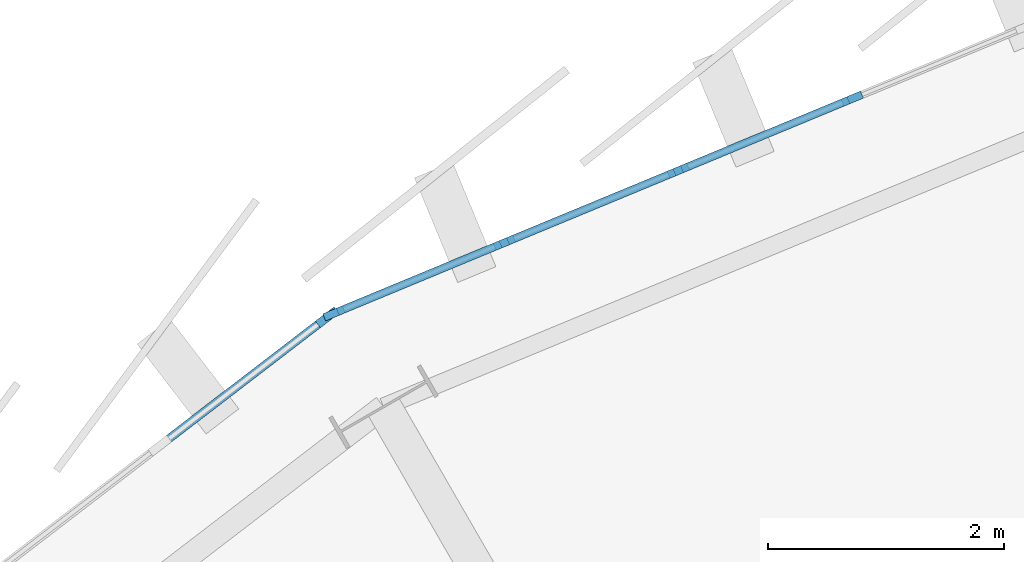
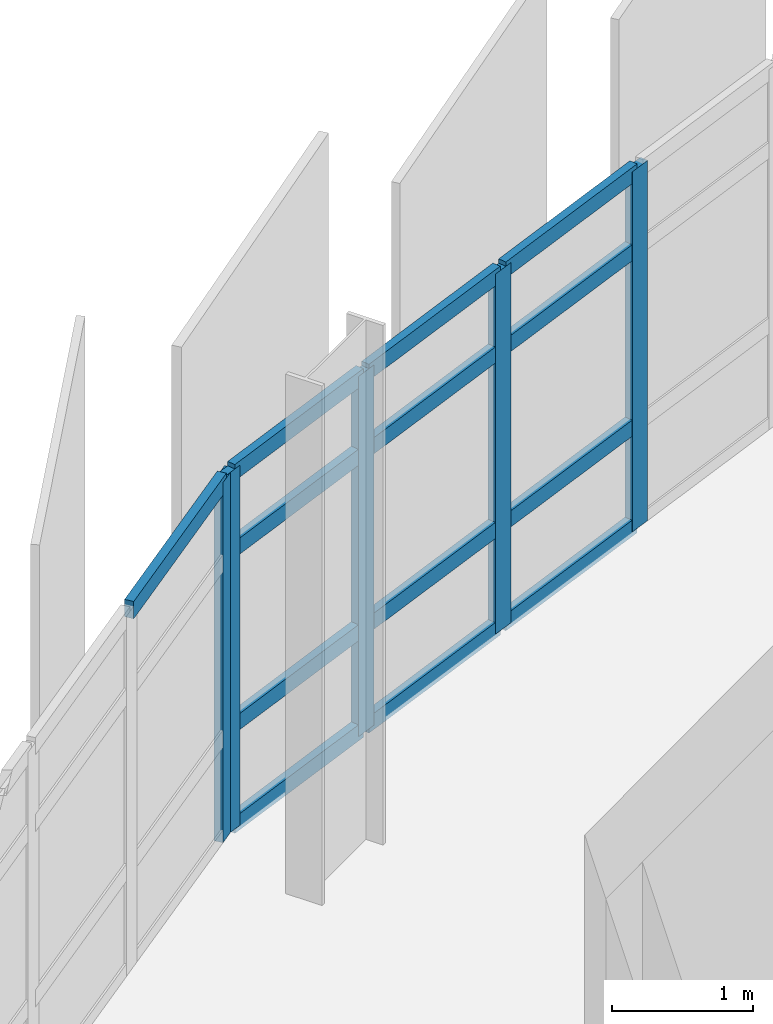
# One storey, part 48 of 120: 18 members, 2 elements without a shape of their own.
"""IFC4 building model written with IfcOpenShell, lengths in metres."""

import ifcopenshell
import ifcopenshell.guid

model = None  # the IFC model being written
_history = None  # IfcOwnerHistory: only IFC2X3 demands one
_inside = {}  # id of a spatial element -> (the spatial element, [elements in it])
_under = {}  # id of a project, library or spatial element -> (it, [spatial elements below it])
_declared = {}  # id of a project -> (the project, [libraries it declares])
_typed = {}  # id of a type object -> (the type object, [elements of that type])
_made_of = {}  # id of a material, layer set ... -> (it, [elements and type objects made of it])


def new_model(schema):
    """Start an empty IFC model of exactly this schema.

    Asked for "IFC4X3", IfcOpenShell would pick the latest addendum, in which some entities
    have other attributes; the version numbers below select the first issue.
    IFC2X3 requires an IfcOwnerHistory on every rooted entity: one is made here for all.
    """
    global model, _history
    if schema == "IFC4X3":
        model = ifcopenshell.file(schema_version=(4, 3, 0, 0))
    else:
        model = ifcopenshell.file(schema=schema)
    _inside.clear()
    _under.clear()
    _declared.clear()
    _typed.clear()
    _made_of.clear()
    _history = None
    if model.schema == "IFC2X3":
        org = make("IfcOrganization", Name="unknown")
        user = make(
            "IfcPersonAndOrganization",
            ThePerson=make("IfcPerson", FamilyName="unknown"),
            TheOrganization=org,
        )
        app = make(
            "IfcApplication",
            ApplicationDeveloper=org,
            Version="unknown",
            ApplicationFullName="unknown",
            ApplicationIdentifier="unknown",
        )
        _history = make(
            "IfcOwnerHistory",
            OwningUser=user,
            OwningApplication=app,
            ChangeAction="ADDED",
            CreationDate=0,
        )
    return model


def make(cls, **values):
    """One entity of the class cls with the attributes given. An attribute that is None is left unset."""
    return model.create_entity(
        cls, **{name: value for name, value in values.items() if value is not None}
    )


def rooted(cls, **values):
    """An entity with a GlobalId (a new one), such as an element, a storey or a relation."""
    return make(cls, GlobalId=ifcopenshell.guid.new(), OwnerHistory=_history, **values)


def si_unit(unit_type, name, prefix=None):
    """IfcSIUnit, for example si_unit("LENGTHUNIT", "METRE", prefix="MILLI")."""
    return make("IfcSIUnit", UnitType=unit_type, Prefix=prefix, Name=name)


def assignment(units):
    """IfcUnitAssignment: the units of a project."""
    return None if units is None else make("IfcUnitAssignment", Units=units)


def point(xyz):
    """IfcCartesianPoint."""
    return None if xyz is None else make("IfcCartesianPoint", Coordinates=xyz)


def direction(xyz):
    """IfcDirection."""
    return None if xyz is None else make("IfcDirection", DirectionRatios=xyz)


def frame(location, z_axis=None, x_axis=None):
    """IfcAxis2Placement3D, a coordinate frame: its origin and axes. An axis left out is left unset."""
    return make(
        "IfcAxis2Placement3D",
        Location=point(location),
        Axis=direction(z_axis),
        RefDirection=direction(x_axis),
    )


def frame_2d(location, x_axis=None):
    """IfcAxis2Placement2D, a coordinate frame in the plane: its origin and x axis."""
    return make(
        "IfcAxis2Placement2D", Location=point(location), RefDirection=direction(x_axis)
    )


def origin():
    """The frame at (0, 0, 0) with its axes left unset."""
    return frame((0.0, 0.0, 0.0))


def origin_2d():
    """The frame at (0, 0) in the plane with its x axis left unset."""
    return frame_2d((0.0, 0.0))


def place(relative_to, where):
    """IfcLocalPlacement: puts the frame where relative to a parent placement (None: the world)."""
    return make(
        "IfcLocalPlacement", PlacementRelTo=relative_to, RelativePlacement=where
    )


def context(
    kind, dimensions, precision=None, world=None, true_north=None, identifier=None
):
    """IfcGeometricRepresentationContext, for example the 3D "Model" context."""
    return make(
        "IfcGeometricRepresentationContext",
        ContextIdentifier=identifier,
        ContextType=kind,
        CoordinateSpaceDimension=dimensions,
        Precision=precision,
        WorldCoordinateSystem=world,
        TrueNorth=true_north,
    )


def subcontext(parent, identifier, kind, view, scale=None):
    """IfcGeometricRepresentationSubContext, for example "Body" below "Model"."""
    return make(
        "IfcGeometricRepresentationSubContext",
        ContextIdentifier=identifier,
        ContextType=kind,
        ParentContext=parent,
        TargetScale=scale,
        TargetView=view,
    )


def project(units=None, contexts=None):
    """IfcProject with its units and contexts."""
    return rooted(
        "IfcProject",
        Name="project",
        RepresentationContexts=contexts,
        UnitsInContext=assignment(units),
    )


def spatial(cls, under=None, at=None, **own):
    """A site, building, storey or space (cls), placed at a placement, below another one or the project."""
    s = rooted(cls, ObjectPlacement=at, **own)
    if under is not None:
        _under.setdefault(under.id(), (under, []))[1].append(s)
    return s


def profile(cls, at=None, kind="AREA", **sizes):
    """A parametric profile (cls). Its sizes go by their IFC names, for example OverallWidth=200.0."""
    return make(cls, ProfileType=kind, Position=at, **sizes)


def rectangle(**sizes):
    """IfcRectangleProfileDef."""
    return profile("IfcRectangleProfileDef", **sizes)


def extrude(swept, where, along, depth):
    """IfcExtrudedAreaSolid: the profile swept, set in the frame where, extruded along a direction by depth."""
    return make(
        "IfcExtrudedAreaSolid",
        SweptArea=swept,
        Position=where,
        ExtrudedDirection=direction(along),
        Depth=depth,
    )


def shape(context_of_items, identifier, shape_type, items):
    """IfcShapeRepresentation: the items that make up one representation, for example the "Body"."""
    return make(
        "IfcShapeRepresentation",
        ContextOfItems=context_of_items,
        RepresentationIdentifier=identifier,
        RepresentationType=shape_type,
        Items=items,
    )


def material(Name=None, Category=None):
    """IfcMaterial."""
    return make("IfcMaterial", Name=Name, Category=Category)


def layer(
    of_material, thickness, ventilated=None, Name=None, Category=None, Priority=None
):
    """IfcMaterialLayer: one layer of a wall or slab, of a material (None: an air gap)."""
    return make(
        "IfcMaterialLayer",
        Material=of_material,
        LayerThickness=thickness,
        IsVentilated=ventilated,
        Name=Name,
        Category=Category,
        Priority=Priority,
    )


def layer_set(layers, Name=None):
    """IfcMaterialLayerSet."""
    return make("IfcMaterialLayerSet", MaterialLayers=layers, LayerSetName=Name)


def material_profile(
    of_material, cross_section, Name=None, Category=None, Priority=None
):
    """IfcMaterialProfile: a cross section and its material."""
    return make(
        "IfcMaterialProfile",
        Name=Name,
        Material=of_material,
        Profile=cross_section,
        Priority=Priority,
        Category=Category,
    )


def profile_set(profiles, Name=None, composite=None):
    """IfcMaterialProfileSet."""
    return make(
        "IfcMaterialProfileSet",
        Name=Name,
        MaterialProfiles=profiles,
        CompositeProfile=composite,
    )


def made_of(thing, what):
    """Note that an element or type object is made of a material, layer set ...; save() writes the relation."""
    if what is not None:
        _made_of.setdefault(what.id(), (what, []))[1].append(thing)
    return thing


def type_object(cls, material=None, **own):
    """A type object (cls), such as IfcWallType, which elements share."""
    return made_of(rooted(cls, **own), material)


def element(
    cls,
    number,
    at=None,
    inside=None,
    cuts=None,
    type_object=None,
    material=None,
    context=None,
    identifier="Body",
    shape_type=None,
    held_by="IfcProductDefinitionShape",
    body=None,
    shapes=None,
    **own,
):
    """One element of the class cls, such as IfcWall. Its Tag is "e" and its number.

    at: its placement. inside: the storey or other place that contains it. cuts: it is an
    opening in that element (IfcRelVoidsElement). A single representation is given by context,
    identifier, shape_type and body (its items); several are given by shapes. held_by: the class
    of the entity that holds the representations. save() writes the other relations.
    """
    e = rooted(cls, Tag="e%d" % number, ObjectPlacement=at, **own)
    if body is not None:
        shapes = [shape(context, identifier, shape_type, body)]
    if shapes is not None:
        e.Representation = make(held_by, Representations=shapes)
    if inside is not None:
        _inside.setdefault(inside.id(), (inside, []))[1].append(e)
    if cuts is not None:
        rooted(
            "IfcRelVoidsElement", RelatingBuildingElement=cuts, RelatedOpeningElement=e
        )
    if type_object is not None:
        _typed.setdefault(type_object.id(), (type_object, []))[1].append(e)
    return made_of(e, material)


def aggregate(whole, parts):
    """IfcRelAggregates: a whole, such as a stair, and the parts it consists of."""
    return rooted("IfcRelAggregates", RelatingObject=whole, RelatedObjects=parts)


def save(model, path):
    """Write the relations noted so far, then the file.

    IfcRelAggregates (storeys below a building ...), IfcRelContainedInSpatialStructure (elements
    in a storey), IfcRelDefinesByType, IfcRelAssociatesMaterial and IfcRelDeclares: one each for
    every whole, place, type object, material and project.
    """
    for whole, parts in _under.values():
        aggregate(whole, parts)
    for where, things in _inside.values():
        rooted(
            "IfcRelContainedInSpatialStructure",
            RelatedElements=things,
            RelatingStructure=where,
        )
    for kind, things in _typed.values():
        rooted("IfcRelDefinesByType", RelatedObjects=things, RelatingType=kind)
    for what, things in _made_of.values():
        rooted("IfcRelAssociatesMaterial", RelatedObjects=things, RelatingMaterial=what)
    for by, libraries in _declared.values():
        rooted("IfcRelDeclares", RelatingContext=by, RelatedDefinitions=libraries)
    model.write(path)


model = new_model("IFC4")

# Units and contexts
model_context = context("Model", 3, precision=1e-05, world=origin(), true_north=direction((0.0, 1.0)))
body_context = subcontext(model_context, "Body", "Model", "MODEL_VIEW")
ifc_project = project(units=[si_unit("LENGTHUNIT", "METRE"), si_unit("AREAUNIT", "SQUARE_METRE"), si_unit("VOLUMEUNIT", "CUBIC_METRE"), si_unit("PLANEANGLEUNIT", "RADIAN"), si_unit("MASSUNIT", "GRAM", prefix="KILO")], contexts=[model_context])

# Site, building, storey
site_placement = place(None, origin())
site = spatial("IfcSite", under=ifc_project, at=site_placement, CompositionType="ELEMENT")
building_placement = place(site_placement, origin())
building = spatial("IfcBuilding", under=site, at=building_placement, Name="Sohan Crest Arena", CompositionType="ELEMENT")
storey_placement = place(building_placement, frame((0.0, 0.0, 13.5)))
storey = spatial("IfcBuildingStorey", under=building, at=storey_placement, Name="L03", CompositionType="ELEMENT", Elevation=13.5)

# Curtain wall, members
ifc_material = material(Name="Thermally broken anodised aluminium", Category="aluminium")
ifc_layer_1 = layer(ifc_material, 0.199951171875, Name="Thermally broken anodised aluminium")
ifc_layer_set_1 = layer_set([ifc_layer_1], Name="Thermally broken anodised aluminium")
curtain_wall_type_1 = type_object("IfcCurtainWallType", Name="ARC-CW02", PredefinedType="NOTDEFINED", material=ifc_layer_set_1)
curtain_wall_1_placement = place(storey_placement, origin())
curtain_wall_1 = element("IfcCurtainWall", 1, at=curtain_wall_1_placement, inside=storey, type_object=curtain_wall_type_1, Name="Unitised curtain wall CW-081", PredefinedType="NOTDEFINED")
ifc_material_profile_1 = material_profile(ifc_material, rectangle(XDim=0.06494140625, YDim=0.179931640625, at=origin_2d()), Name="ALU-MULL 65x180")
ifc_profile_set_1 = profile_set([ifc_material_profile_1], Name="Thermally broken anodised aluminium")
member_type_1 = type_object("IfcMemberType", Name="ARC-CW-ML02", PredefinedType="MULLION", material=ifc_profile_set_1)
member_1_placement = place(storey_placement, frame((77.97265625, 122.180908203125, 0.0), z_axis=(0.0, 0.0, 1.0), x_axis=(0.382667735827, -0.923886034074, 0.0)))
member_1 = element("IfcMember", 2, at=member_1_placement, type_object=member_type_1, Name="CW-081 mullion 6", PredefinedType="MULLION", context=body_context, shape_type="SweptSolid", body=[
    extrude(rectangle(XDim=0.06494140625, YDim=0.179931640625, at=origin_2d()), origin(), (0.0, 0.0, 1.0), 3.1201171875),
])
member_2_placement = place(storey_placement, frame((76.49853515625, 121.5703125, 0.0), z_axis=(0.0, 0.0, 1.0), x_axis=(0.382667735827, -0.923886034074, 0.0)))
member_2 = element("IfcMember", 3, at=member_2_placement, type_object=member_type_1, Name="CW-081 mullion 7", PredefinedType="MULLION", context=body_context, shape_type="SweptSolid", body=[
    extrude(rectangle(XDim=0.06494140625, YDim=0.179931640625, at=origin_2d()), origin(), (0.0, 0.0, 1.0), 3.1201171875),
])
member_3_placement = place(storey_placement, frame((75.024169921875, 120.959716796875, 0.0), z_axis=(0.0, 0.0, 1.0), x_axis=(0.382667735827, -0.923886034074, 0.0)))
member_3 = element("IfcMember", 4, at=member_3_placement, type_object=member_type_1, Name="CW-081 mullion 8", PredefinedType="MULLION", context=body_context, shape_type="SweptSolid", body=[
    extrude(rectangle(XDim=0.06494140625, YDim=0.179931640625, at=origin_2d()), origin(), (0.0, 0.0, 1.0), 3.1201171875),
])
member_4_placement = place(storey_placement, frame((73.580078125, 120.361328125, 0.0), z_axis=(0.0, 0.0, 1.0), x_axis=(0.382667735827, -0.923886034074, 0.0)))
member_4 = element("IfcMember", 5, at=member_4_placement, type_object=member_type_1, Name="CW-081 mullion 9", PredefinedType="MULLION", context=body_context, shape_type="SweptSolid", body=[
    extrude(rectangle(XDim=0.06494140625, YDim=0.179931640625, at=origin_2d()), origin(), (0.0, 0.0, 1.0), 3.1201171875),
])

# Curtain wall, member
ifc_layer_2 = layer(ifc_material, 0.219970703125, Name="Thermally broken anodised aluminium")
ifc_layer_set_2 = layer_set([ifc_layer_2], Name="Thermally broken anodised aluminium")
curtain_wall_type_2 = type_object("IfcCurtainWallType", Name="ARC-CW03", PredefinedType="NOTDEFINED", material=ifc_layer_set_2)
curtain_wall_2_placement = place(storey_placement, origin())
curtain_wall_2 = element("IfcCurtainWall", 6, at=curtain_wall_2_placement, inside=storey, type_object=curtain_wall_type_2, Name="Unitised curtain wall CW-082", PredefinedType="NOTDEFINED")
ifc_material_profile_2 = material_profile(ifc_material, rectangle(XDim=0.070068359375, YDim=0.199951171875, at=origin_2d()), Name="ALU-MULL 70x200")
ifc_profile_set_2 = profile_set([ifc_material_profile_2], Name="Thermally broken anodised aluminium")
member_type_2 = type_object("IfcMemberType", Name="ARC-CW-ML03", PredefinedType="MULLION", material=ifc_profile_set_2)
member_5_placement = place(storey_placement, frame((73.522216796875, 120.32763671875, 0.0), z_axis=(0.0, 0.0, 1.0), x_axis=(0.608737381249, -0.793371792207, 0.0)))
member_5 = element("IfcMember", 7, at=member_5_placement, type_object=member_type_2, Name="CW-082 mullion 1", PredefinedType="MULLION", context=body_context, shape_type="SweptSolid", body=[
    extrude(rectangle(XDim=0.070068359375, YDim=0.199951171875, at=origin_2d()), origin(), (0.0, 0.0, 1.0), 3.1201171875),
])

# Member
ifc_material_profile_3 = material_profile(ifc_material, rectangle(XDim=0.06494140625, YDim=0.139892578125, at=origin_2d()), Name="ALU-TRAN 65x140")
ifc_profile_set_3 = profile_set([ifc_material_profile_3], Name="Thermally broken anodised aluminium")
member_type_3 = type_object("IfcMemberType", Name="ARC-CW-TR02", PredefinedType="USERDEFINED", material=ifc_profile_set_3)
member_6_placement = place(storey_placement, frame((77.942626953125, 122.16845703125, 0.032470703125), z_axis=(-0.923886579167, -0.38266641979, 0.0), x_axis=(0.38266641979, -0.923886579167, 0.0)))
member_6 = element("IfcMember", 8, at=member_6_placement, type_object=member_type_3, Name="CW-081 transom 6.1", ObjectType="TRANSOM", PredefinedType="USERDEFINED", context=body_context, shape_type="SweptSolid", body=[
    extrude(rectangle(XDim=0.06494140625, YDim=0.139892578125, at=origin_2d()), origin(), (0.0, 0.0, 1.0), 1.530517578125),
])

member_7_placement = place(storey_placement, frame((77.942626953125, 122.16845703125, 0.89990234375), z_axis=(-0.923886579167, -0.38266641979, 0.0), x_axis=(0.38266641979, -0.923886579167, 0.0)))
member_7 = element("IfcMember", 9, at=member_7_placement, type_object=member_type_3, Name="CW-081 transom 6.2", ObjectType="TRANSOM", PredefinedType="USERDEFINED", context=body_context, shape_type="SweptSolid", body=[
    extrude(rectangle(XDim=0.06494140625, YDim=0.139892578125, at=origin_2d()), origin(), (0.0, 0.0, 1.0), 1.530517578125),
])

member_8_placement = place(storey_placement, frame((77.942626953125, 122.16845703125, 2.419921875), z_axis=(-0.923886579167, -0.38266641979, 0.0), x_axis=(0.38266641979, -0.923886579167, 0.0)))
member_8 = element("IfcMember", 10, at=member_8_placement, type_object=member_type_3, Name="CW-081 transom 6.3", ObjectType="TRANSOM", PredefinedType="USERDEFINED", context=body_context, shape_type="SweptSolid", body=[
    extrude(rectangle(XDim=0.06494140625, YDim=0.139892578125, at=origin_2d()), origin(), (0.0, 0.0, 1.0), 1.530517578125),
])

member_9_placement = place(storey_placement, frame((77.942626953125, 122.16845703125, 3.08740234375), z_axis=(-0.923886579167, -0.38266641979, 0.0), x_axis=(0.38266641979, -0.923886579167, 0.0)))
member_9 = element("IfcMember", 11, at=member_9_placement, type_object=member_type_3, Name="CW-081 transom 6.4", ObjectType="TRANSOM", PredefinedType="USERDEFINED", context=body_context, shape_type="SweptSolid", body=[
    extrude(rectangle(XDim=0.06494140625, YDim=0.139892578125, at=origin_2d()), origin(), (0.0, 0.0, 1.0), 1.530517578125),
])

member_10_placement = place(storey_placement, frame((76.468505859375, 121.557861328125, 0.032470703125), z_axis=(-0.923909931744, -0.382610033878, 0.0), x_axis=(0.382610033878, -0.923909931744, 0.0)))
member_10 = element("IfcMember", 12, at=member_10_placement, type_object=member_type_3, Name="CW-081 transom 7.1", ObjectType="TRANSOM", PredefinedType="USERDEFINED", context=body_context, shape_type="SweptSolid", body=[
    extrude(rectangle(XDim=0.06494140625, YDim=0.139892578125, at=origin_2d()), origin(), (0.0, 0.0, 1.0), 1.53076171875),
])

member_11_placement = place(storey_placement, frame((76.468505859375, 121.557861328125, 0.89990234375), z_axis=(-0.923909931744, -0.382610033878, 0.0), x_axis=(0.382610033878, -0.923909931744, 0.0)))
member_11 = element("IfcMember", 13, at=member_11_placement, type_object=member_type_3, Name="CW-081 transom 7.2", ObjectType="TRANSOM", PredefinedType="USERDEFINED", context=body_context, shape_type="SweptSolid", body=[
    extrude(rectangle(XDim=0.06494140625, YDim=0.139892578125, at=origin_2d()), origin(), (0.0, 0.0, 1.0), 1.53076171875),
])

member_12_placement = place(storey_placement, frame((76.468505859375, 121.557861328125, 2.419921875), z_axis=(-0.923909931744, -0.382610033878, 0.0), x_axis=(0.382610033878, -0.923909931744, 0.0)))
member_12 = element("IfcMember", 14, at=member_12_placement, type_object=member_type_3, Name="CW-081 transom 7.3", ObjectType="TRANSOM", PredefinedType="USERDEFINED", context=body_context, shape_type="SweptSolid", body=[
    extrude(rectangle(XDim=0.06494140625, YDim=0.139892578125, at=origin_2d()), origin(), (0.0, 0.0, 1.0), 1.53076171875),
])

member_13_placement = place(storey_placement, frame((76.468505859375, 121.557861328125, 3.08740234375), z_axis=(-0.923909931744, -0.382610033878, 0.0), x_axis=(0.382610033878, -0.923909931744, 0.0)))
member_13 = element("IfcMember", 15, at=member_13_placement, type_object=member_type_3, Name="CW-081 transom 7.4", ObjectType="TRANSOM", PredefinedType="USERDEFINED", context=body_context, shape_type="SweptSolid", body=[
    extrude(rectangle(XDim=0.06494140625, YDim=0.139892578125, at=origin_2d()), origin(), (0.0, 0.0, 1.0), 1.53076171875),
])

member_14_placement = place(storey_placement, frame((74.994140625, 120.947265625, 0.032470703125), z_axis=(-0.923832089467, -0.382797949931, 0.0), x_axis=(0.382797949931, -0.923832089467, 0.0)))
member_14 = element("IfcMember", 16, at=member_14_placement, type_object=member_type_3, Name="CW-081 transom 8.1", ObjectType="TRANSOM", PredefinedType="USERDEFINED", context=body_context, shape_type="SweptSolid", body=[
    extrude(rectangle(XDim=0.06494140625, YDim=0.139892578125, at=origin_2d()), origin(), (0.0, 0.0, 1.0), 1.498046875),
])

member_15_placement = place(storey_placement, frame((74.994140625, 120.947265625, 0.89990234375), z_axis=(-0.923832089467, -0.382797949931, 0.0), x_axis=(0.382797949931, -0.923832089467, 0.0)))
member_15 = element("IfcMember", 17, at=member_15_placement, type_object=member_type_3, Name="CW-081 transom 8.2", ObjectType="TRANSOM", PredefinedType="USERDEFINED", context=body_context, shape_type="SweptSolid", body=[
    extrude(rectangle(XDim=0.06494140625, YDim=0.139892578125, at=origin_2d()), origin(), (0.0, 0.0, 1.0), 1.498046875),
])

member_16_placement = place(storey_placement, frame((74.994140625, 120.947265625, 2.419921875), z_axis=(-0.923832089467, -0.382797949931, 0.0), x_axis=(0.382797949931, -0.923832089467, 0.0)))
member_16 = element("IfcMember", 18, at=member_16_placement, type_object=member_type_3, Name="CW-081 transom 8.3", ObjectType="TRANSOM", PredefinedType="USERDEFINED", context=body_context, shape_type="SweptSolid", body=[
    extrude(rectangle(XDim=0.06494140625, YDim=0.139892578125, at=origin_2d()), origin(), (0.0, 0.0, 1.0), 1.498046875),
])

member_17_placement = place(storey_placement, frame((74.994140625, 120.947265625, 3.08740234375), z_axis=(-0.923832089467, -0.382797949931, 0.0), x_axis=(0.382797949931, -0.923832089467, 0.0)))
member_17 = element("IfcMember", 19, at=member_17_placement, type_object=member_type_3, Name="CW-081 transom 8.4", ObjectType="TRANSOM", PredefinedType="USERDEFINED", context=body_context, shape_type="SweptSolid", body=[
    extrude(rectangle(XDim=0.06494140625, YDim=0.139892578125, at=origin_2d()), origin(), (0.0, 0.0, 1.0), 1.498046875),
])

aggregate(curtain_wall_1, [member_1, member_2, member_3, member_4, member_6, member_7, member_8, member_9, member_10, member_11, member_12, member_13, member_14, member_15, member_16, member_17])

ifc_material_profile_4 = material_profile(ifc_material, rectangle(XDim=0.070068359375, YDim=0.14990234375, at=origin_2d()), Name="ALU-TRAN 70x150")
ifc_profile_set_4 = profile_set([ifc_material_profile_4], Name="Thermally broken anodised aluminium")
member_type_4 = type_object("IfcMemberType", Name="ARC-CW-TR03", PredefinedType="USERDEFINED", material=ifc_profile_set_4)
member_18_placement = place(storey_placement, frame((73.494384765625, 120.306396484375, 3.0849609375), z_axis=(-0.793389099494, -0.608714823874, 0.0), x_axis=(0.608714823874, -0.793389099494, 0.0)))
member_18 = element("IfcMember", 20, at=member_18_placement, type_object=member_type_4, Name="CW-082 transom 1.4", ObjectType="TRANSOM", PredefinedType="USERDEFINED", context=body_context, shape_type="SweptSolid", body=[
    extrude(rectangle(XDim=0.070068359375, YDim=0.14990234375, at=origin_2d()), origin(), (0.0, 0.0, 1.0), 1.718505859375),
])

aggregate(curtain_wall_2, [member_5, member_18])

save(model, "model.ifc")
